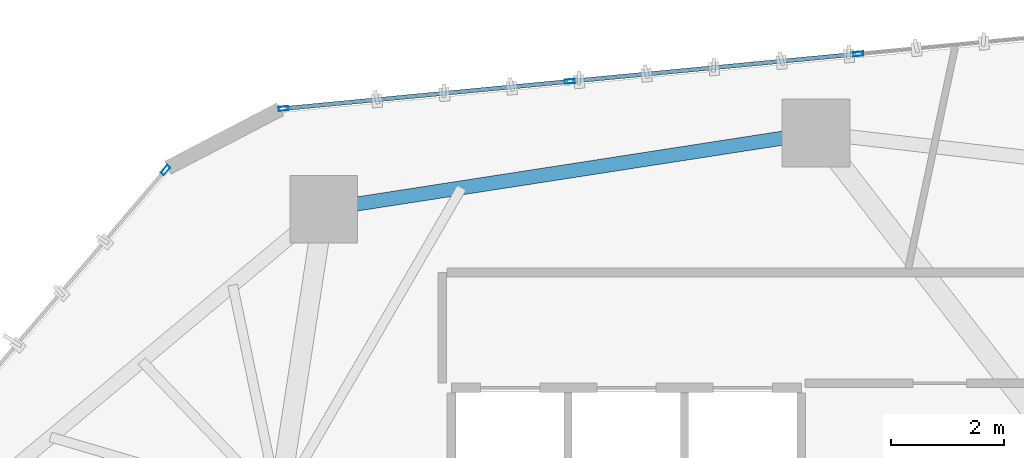
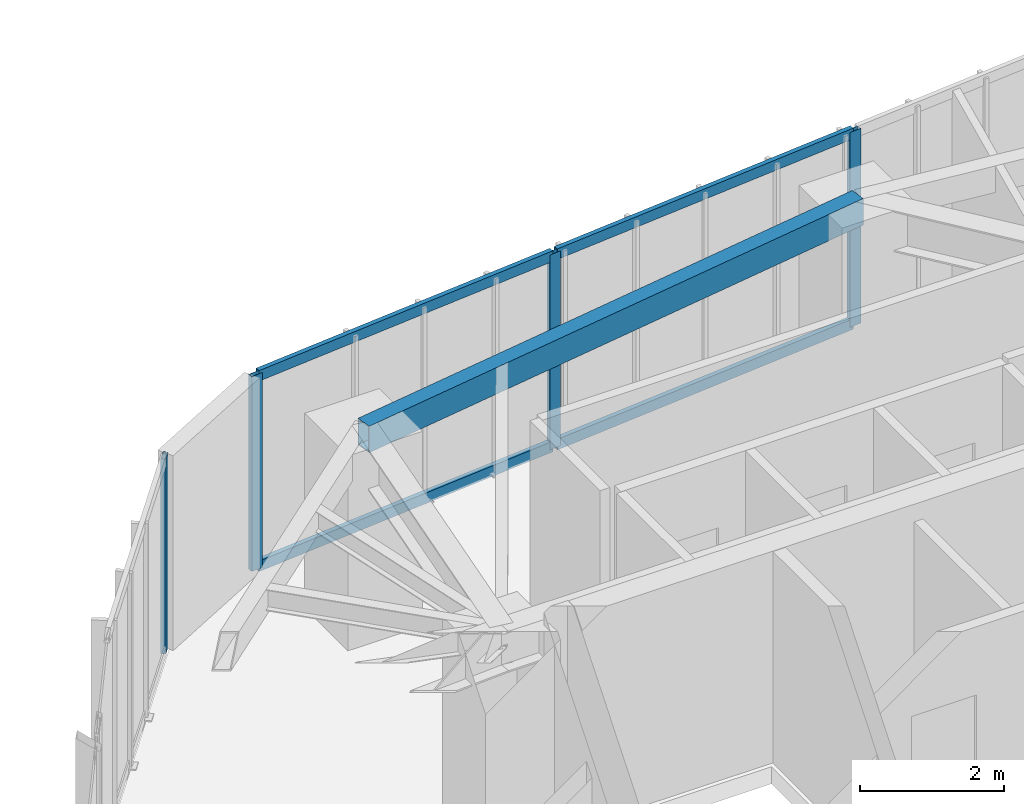
# One storey, part 15 of 22: 8 members, 1 beam, 2 elements without a shape of their own.
"""IFC4 building model written with IfcOpenShell, lengths in metres."""

from ifc_helpers import new_model, si_unit, direction, frame, origin, origin_2d, place, context, subcontext, project, spatial, hollow_rectangle, extrude, source, transform, mapped, material, layer, layer_set, material_profile, profile_set, type_object, type_shapes, element, aggregate, save


model = new_model("IFC4")

# Units and contexts
model_context = context("Model", 3, precision=1e-05, world=origin(), true_north=direction((0.0, 1.0)))
body_context = subcontext(model_context, "Body", "Model", "MODEL_VIEW")
ifc_project = project(units=[si_unit("LENGTHUNIT", "METRE"), si_unit("AREAUNIT", "SQUARE_METRE"), si_unit("VOLUMEUNIT", "CUBIC_METRE"), si_unit("PLANEANGLEUNIT", "RADIAN"), si_unit("MASSUNIT", "GRAM", prefix="KILO")], contexts=[model_context])

# Site, building, storey
site_placement = place(None, origin())
site = spatial("IfcSite", under=ifc_project, at=site_placement, CompositionType="ELEMENT")
building_placement = place(site_placement, origin())
building = spatial("IfcBuilding", under=site, at=building_placement, Name="Talar Marvaseh", CompositionType="ELEMENT")
storey_placement = place(building_placement, frame((0.0, 0.0, 107.39990234375)))
storey = spatial("IfcBuildingStorey", under=building, at=storey_placement, Name="L27", CompositionType="ELEMENT", Elevation=107.39990234375)

# Beam
ifc_material_1 = material(Name="Steel S355", Category="steel")
ifc_material_profile_1 = material_profile(ifc_material_1, hollow_rectangle(XDim=0.25, YDim=0.449951171875, WallThickness=0.01611328125, at=origin_2d()), Name="RHS450x250x16")
ifc_profile_set_1 = profile_set([ifc_material_profile_1], Name="Steel S355")
beam_type = type_object("IfcBeamType", Name="Zone 2 Perimeter Spandrel Beam RHS450x250x16", PredefinedType="SPANDREL", material=ifc_profile_set_1)
beam_placement = place(storey_placement, frame((19.5009765625, 42.123046875, 3.085205078125), z_axis=(0.988248879948, 0.152853365295, 0.0), x_axis=(-0.152853365295, 0.988248879948, 0.0)))
element("IfcBeam", 1, at=beam_placement, inside=storey, type_object=beam_type, Name="L27 Zone 2 Perimeter Spandrel Beam RHS450x250x16", PredefinedType="SPANDREL", context=body_context, shape_type="SweptSolid", body=[
    extrude(hollow_rectangle(XDim=0.25, YDim=0.449951171875, WallThickness=0.01611328125, at=origin_2d()), origin(), (0.0, 0.0, 1.0), 8.82470703125),
])

# Curtain wall, member
ifc_material_2 = material(Name="Architectural Aluminium", Category="aluminium")
ifc_layer = layer(ifc_material_2, 0.199951171875)
ifc_layer_set = layer_set([ifc_layer], Name="Architectural Aluminium")
curtain_wall_type = type_object("IfcCurtainWallType", Name="Unitised Acoustic Library Curtain Wall Z2", PredefinedType="NOTDEFINED", material=ifc_layer_set)
curtain_wall_1_placement = place(storey_placement, origin())
curtain_wall_1 = element("IfcCurtainWall", 2, at=curtain_wall_1_placement, inside=storey, type_object=curtain_wall_type, Name="L27 Unitised Acoustic Library Curtain Wall Z2", PredefinedType="NOTDEFINED")
ifc_material_profile_2 = material_profile(ifc_material_2, hollow_rectangle(XDim=0.074951171875, YDim=0.179931640625, WallThickness=0.0048828125, at=origin_2d()), Name="RHS180x75x5")
ifc_profile_set_2 = profile_set([ifc_material_profile_2], Name="Architectural Aluminium")
member_type_1 = type_object("IfcMemberType", Name="Unitised Curtain Wall Standard Mullion RHS180x75x5", PredefinedType="MULLION", material=ifc_profile_set_2)
shared_shape_1 = source(origin(), body_context, "Body", "SweptSolid", [
    extrude(hollow_rectangle(XDim=0.074951171875, YDim=0.179931640625, WallThickness=0.0048828125, at=origin_2d()), origin(), (0.0, 0.0, 1.0), 3.31005859375),
])
type_shapes(member_type_1, [shared_shape_1])
member_1_placement = place(storey_placement, frame((16.697998046875, 42.81396484375, 0.0), z_axis=(0.0, 0.0, 1.0), x_axis=(-0.7611759874, 0.648545384847, 0.0)))
member_1 = element("IfcMember", 3, at=member_1_placement, type_object=member_type_1, Name="CW-Z2 mullion 4", PredefinedType="MULLION", context=body_context, shape_type="MappedRepresentation", body=[
    mapped(shared_shape_1, transform((0.0, 0.0, 0.0), x_axis=(1.0, 0.0, 0.0), y_axis=(0.0, 1.0, 0.0), z_axis=(0.0, 0.0, 1.0), scale=1.0)),
])
aggregate(curtain_wall_1, [member_1])

# Curtain wall, members
curtain_wall_2_placement = place(storey_placement, origin())
curtain_wall_2 = element("IfcCurtainWall", 4, at=curtain_wall_2_placement, inside=storey, type_object=curtain_wall_type, Name="L27 Unitised Acoustic Library Curtain Wall Z2", PredefinedType="NOTDEFINED")
member_2_placement = place(storey_placement, frame((18.791015625, 43.9033203125, 0.0), z_axis=(0.0, 0.0, 1.0), x_axis=(-0.094671107411, 0.995508604394, 0.0)))
member_2 = element("IfcMember", 5, at=member_2_placement, type_object=member_type_1, Name="CW-Z2 mullion 1", PredefinedType="MULLION", context=body_context, shape_type="MappedRepresentation", body=[
    mapped(shared_shape_1, transform((0.0, 0.0, 0.0), x_axis=(1.0, 0.0, 0.0), y_axis=(0.0, 1.0, 0.0), z_axis=(0.0, 0.0, 1.0), scale=1.0)),
])
member_3_placement = place(storey_placement, frame((23.860595703125, 44.385498046875, 0.0), z_axis=(0.0, 0.0, 1.0), x_axis=(-0.094671107411, 0.995508604394, 0.0)))
member_3 = element("IfcMember", 6, at=member_3_placement, type_object=member_type_1, Name="CW-Z2 mullion 2", PredefinedType="MULLION", context=body_context, shape_type="MappedRepresentation", body=[
    mapped(shared_shape_1, transform((0.0, 0.0, 0.0), x_axis=(1.0, 0.0, 0.0), y_axis=(0.0, 1.0, 0.0), z_axis=(0.0, 0.0, 1.0), scale=1.0)),
])
member_4_placement = place(storey_placement, frame((28.9677734375, 44.87109375, 0.0), z_axis=(0.0, 0.0, 1.0), x_axis=(-0.094671107411, 0.995508604394, 0.0)))
member_4 = element("IfcMember", 7, at=member_4_placement, type_object=member_type_1, Name="CW-Z2 mullion 3", PredefinedType="MULLION", context=body_context, shape_type="MappedRepresentation", body=[
    mapped(shared_shape_1, transform((0.0, 0.0, 0.0), x_axis=(1.0, 0.0, 0.0), y_axis=(0.0, 1.0, 0.0), z_axis=(0.0, 0.0, 1.0), scale=1.0)),
])
ifc_material_profile_3 = material_profile(ifc_material_2, hollow_rectangle(XDim=0.074951171875, YDim=0.179931640625, WallThickness=0.0048828125, at=origin_2d()), Name="RHS180x75x5")
ifc_profile_set_3 = profile_set([ifc_material_profile_3], Name="Architectural Aluminium")
member_type_2 = type_object("IfcMemberType", Name="Unitised Curtain Wall Transom RHS180x75x5", PredefinedType="USERDEFINED", material=ifc_profile_set_3)
shared_shape_2 = source(origin(), body_context, "Body", "SweptSolid", [
    extrude(hollow_rectangle(XDim=0.074951171875, YDim=0.179931640625, WallThickness=0.0048828125, at=origin_2d()), origin(), (0.0, 0.0, 1.0), 5.017578125),
])
member_5_placement = place(storey_placement, frame((18.828369140625, 43.906982421875, 0.03759765625), z_axis=(0.995511858764, 0.094636880024, 0.0), x_axis=(-0.094636880024, 0.995511858764, 0.0)))
member_5 = element("IfcMember", 8, at=member_5_placement, type_object=member_type_2, Name="CW-Z2 transom 1.1", ObjectType="TRANSOM", PredefinedType="USERDEFINED", context=body_context, shape_type="MappedRepresentation", body=[
    mapped(shared_shape_2, transform((0.0, 0.0, 0.0), x_axis=(1.0, 0.0, 0.0), y_axis=(0.0, 1.0, 0.0), z_axis=(0.0, 0.0, 1.0), scale=1.0)),
])
member_6_placement = place(storey_placement, frame((18.828369140625, 43.906982421875, 3.272705078125), z_axis=(0.995511858764, 0.094636880024, 0.0), x_axis=(-0.094636880024, 0.995511858764, 0.0)))
member_6 = element("IfcMember", 9, at=member_6_placement, type_object=member_type_2, Name="CW-Z2 transom 1.2", ObjectType="TRANSOM", PredefinedType="USERDEFINED", context=body_context, shape_type="MappedRepresentation", body=[
    mapped(shared_shape_2, transform((0.0, 0.0, 0.0), x_axis=(1.0, 0.0, 0.0), y_axis=(0.0, 1.0, 0.0), z_axis=(0.0, 0.0, 1.0), scale=1.0)),
])
shared_shape_3 = source(origin(), body_context, "Body", "SweptSolid", [
    extrude(hollow_rectangle(XDim=0.074951171875, YDim=0.179931640625, WallThickness=0.0048828125, at=origin_2d()), origin(), (0.0, 0.0, 1.0), 5.05517578125),
])
type_shapes(member_type_2, [shared_shape_2, shared_shape_3])
member_7_placement = place(storey_placement, frame((23.89794921875, 44.388916015625, 0.03759765625), z_axis=(0.995505234843, 0.094706533039, 0.0), x_axis=(-0.094706533039, 0.995505234843, 0.0)))
member_7 = element("IfcMember", 10, at=member_7_placement, type_object=member_type_2, Name="CW-Z2 transom 2.1", ObjectType="TRANSOM", PredefinedType="USERDEFINED", context=body_context, shape_type="MappedRepresentation", body=[
    mapped(shared_shape_3, transform((0.0, 0.0, 0.0), x_axis=(1.0, 0.0, 0.0), y_axis=(0.0, 1.0, 0.0), z_axis=(0.0, 0.0, 1.0), scale=1.0)),
])
member_8_placement = place(storey_placement, frame((23.89794921875, 44.388916015625, 3.272705078125), z_axis=(0.995505234843, 0.094706533039, 0.0), x_axis=(-0.094706533039, 0.995505234843, 0.0)))
member_8 = element("IfcMember", 11, at=member_8_placement, type_object=member_type_2, Name="CW-Z2 transom 2.2", ObjectType="TRANSOM", PredefinedType="USERDEFINED", context=body_context, shape_type="MappedRepresentation", body=[
    mapped(shared_shape_3, transform((0.0, 0.0, 0.0), x_axis=(1.0, 0.0, 0.0), y_axis=(0.0, 1.0, 0.0), z_axis=(0.0, 0.0, 1.0), scale=1.0)),
])
aggregate(curtain_wall_2, [member_2, member_3, member_4, member_5, member_6, member_7, member_8])

save(model, "model.ifc")
